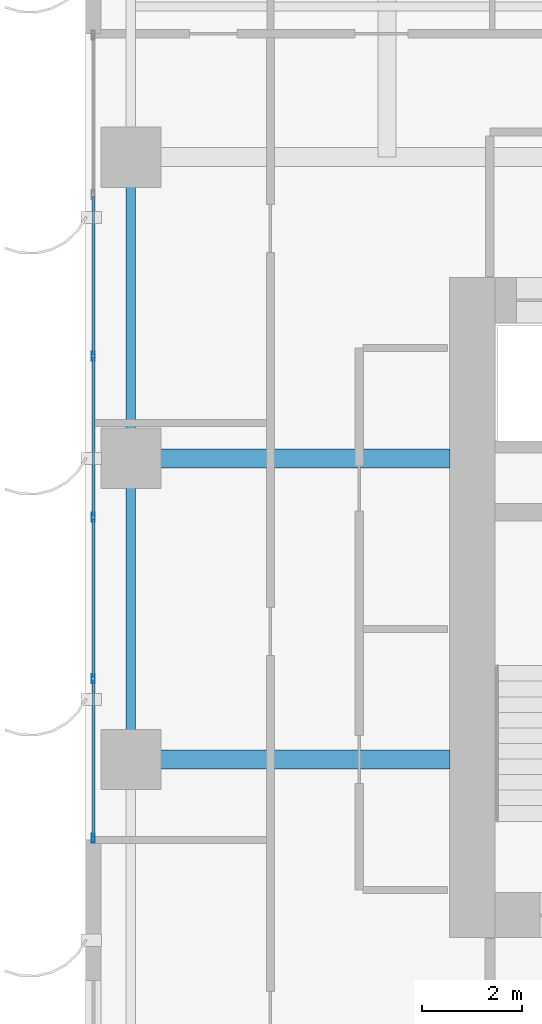
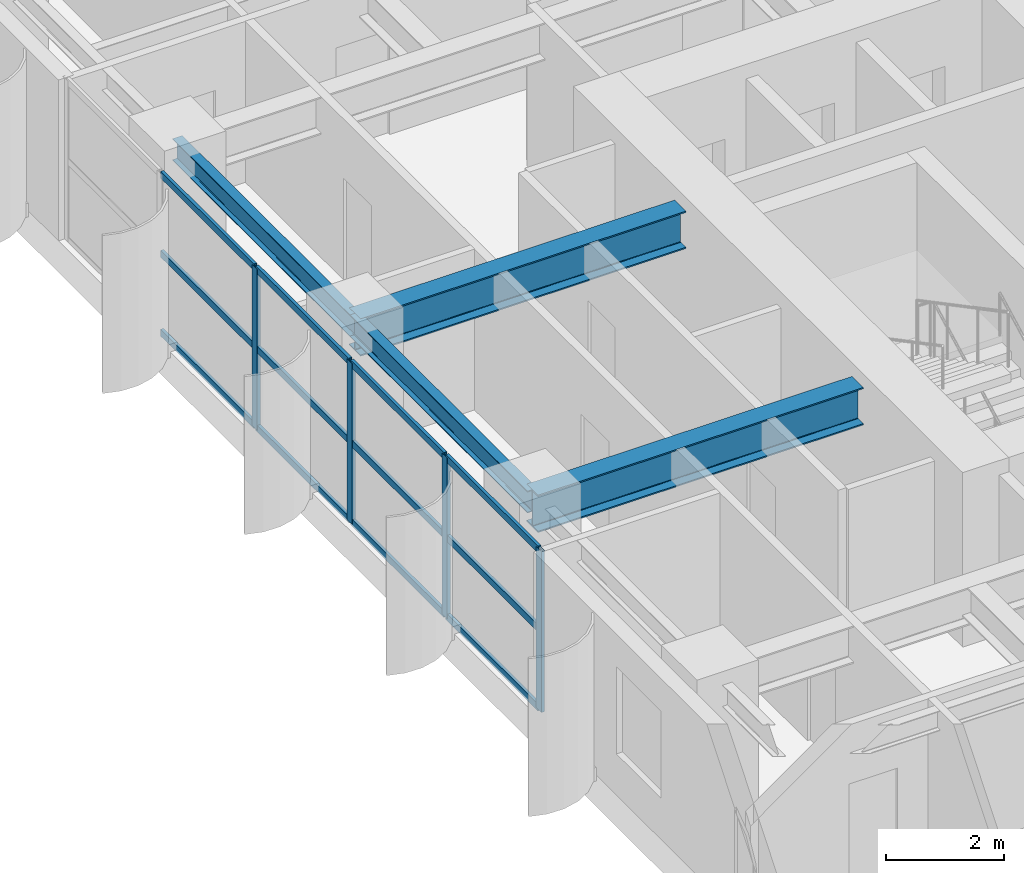
# One storey, part 2 of 21: 16 members, 4 beams, 1 element without a shape of its own.
"""IFC4 building model written with IfcOpenShell, lengths in metres."""

from ifc_helpers import new_model, si_unit, direction, frame, origin, origin_2d, place, context, subcontext, project, spatial, hollow_rectangle, i_section, extrude, source, transform, mapped, material, layer, layer_set, material_profile, profile_set, type_object, element, aggregate, save


model = new_model("IFC4")

# Units and contexts
model_context = context("Model", 3, precision=1e-05, world=origin(), true_north=direction((0.0, 1.0)))
body_context = subcontext(model_context, "Body", "Model", "MODEL_VIEW")
ifc_project = project(units=[si_unit("LENGTHUNIT", "METRE"), si_unit("AREAUNIT", "SQUARE_METRE"), si_unit("VOLUMEUNIT", "CUBIC_METRE"), si_unit("PLANEANGLEUNIT", "RADIAN"), si_unit("MASSUNIT", "GRAM", prefix="KILO")], contexts=[model_context])

# Site, building, storey
site_placement = place(None, origin())
site = spatial("IfcSite", under=ifc_project, at=site_placement, CompositionType="ELEMENT")
building_placement = place(site_placement, origin())
building = spatial("IfcBuilding", under=site, at=building_placement, Name="Khoralis Quay Care Tower", CompositionType="ELEMENT")
storey_placement = place(building_placement, frame((0.0, 0.0, 22.5)))
storey = spatial("IfcBuildingStorey", under=building, at=storey_placement, Name="L05", CompositionType="ELEMENT", Elevation=22.5)

# Beams
ifc_material_1 = material(Name="Steel S355", Category="steel")
ifc_material_profile_1 = material_profile(ifc_material_1, i_section(OverallWidth=0.18994140625, OverallDepth=0.449951171875, WebThickness=0.009521484375, FlangeThickness=0.0146484375, FilletRadius=0.02099609375, at=origin_2d()), Name="Steel S355")
ifc_profile_set_1 = profile_set([ifc_material_profile_1], Name="Steel S355")
beam_type_1 = type_object("IfcBeamType", Name="BM-IPE450", PredefinedType="SPANDREL", material=ifc_profile_set_1)
shared_shape_1 = source(origin(), body_context, "Body", "SweptSolid", [
    extrude(i_section(OverallWidth=0.18994140625, OverallDepth=0.449951171875, WebThickness=0.009521484375, FlangeThickness=0.0146484375, FilletRadius=0.02099609375, at=origin_2d()), origin(), (0.0, 0.0, 1.0), 6.0),
])
for number, where, z_axis, x_axis, name in (
    (1, (0.89990234375, 18.0, 3.094970703125), (0.0, 1.0, 0.0), (-1.0, 0.0, 0.0), "BM-TSP-L05-15"),
    (2, (0.89990234375, 24.0, 3.094970703125), (0.0, 1.0, 0.0), (-1.0, 0.0, 0.0), "BM-TSP-L05-16"),
):
    element("IfcBeam", number, at=place(storey_placement, frame(where, z_axis=z_axis, x_axis=x_axis)), inside=storey, type_object=beam_type_1, Name=name, PredefinedType="SPANDREL", context=body_context, shape_type="MappedRepresentation", body=[
        mapped(shared_shape_1, transform((0.0, 0.0, 0.0), scale=1.0)),
    ])
ifc_material_profile_2 = material_profile(ifc_material_1, i_section(OverallWidth=0.381103515625, OverallDepth=0.77294921875, WebThickness=0.0166015625, FlangeThickness=0.027587890625, FilletRadius=0.02197265625, at=origin_2d()), Name="Steel S355")
ifc_profile_set_2 = profile_set([ifc_material_profile_2], Name="Steel S355")
beam_type_2 = type_object("IfcBeamType", Name="BM-W760X257", PredefinedType="BEAM", material=ifc_profile_set_2)
shared_shape_2 = source(origin(), body_context, "Body", "SweptSolid", [
    extrude(i_section(OverallWidth=0.381103515625, OverallDepth=0.77294921875, WebThickness=0.0166015625, FlangeThickness=0.027587890625, FilletRadius=0.02197265625, at=origin_2d()), origin(), (0.0, 0.0, 1.0), 6.35205078125),
])
for number, where, z_axis, x_axis, name in (
    (3, (0.89990234375, 18.0, 2.93359375), (1.0, 0.0, 0.0), (0.0, 1.0, 0.0), "BM-TGXW-L05-180"),
    (4, (0.89990234375, 24.0, 2.93359375), (1.0, 0.0, 0.0), (0.0, 1.0, 0.0), "BM-TGXW-L05-240"),
):
    element("IfcBeam", number, at=place(storey_placement, frame(where, z_axis=z_axis, x_axis=x_axis)), inside=storey, type_object=beam_type_2, Name=name, PredefinedType="BEAM", context=body_context, shape_type="MappedRepresentation", body=[
        mapped(shared_shape_2, transform((0.0, 0.0, 0.0), scale=1.0)),
    ])

# Curtain wall, members
ifc_material_2 = material(Name="Pale anodised aluminium", Category="aluminium")
ifc_layer = layer(ifc_material_2, 0.179931640625)
ifc_layer_set = layer_set([ifc_layer], Name="Pale anodised aluminium")
curtain_wall_type = type_object("IfcCurtainWallType", Name="CW-SYS-Z1", PredefinedType="NOTDEFINED", material=ifc_layer_set)
curtain_wall_placement = place(storey_placement, origin())
curtain_wall = element("IfcCurtainWall", 5, at=curtain_wall_placement, inside=storey, type_object=curtain_wall_type, Name="L05 Unitised Curtain Wall CW-L05-P1-E15", PredefinedType="NOTDEFINED")
ifc_material_profile_3 = material_profile(ifc_material_2, hollow_rectangle(XDim=0.06494140625, YDim=0.179931640625, WallThickness=0.00390625, at=origin_2d()), Name="Pale anodised aluminium")
ifc_profile_set_3 = profile_set([ifc_material_profile_3], Name="Pale anodised aluminium")
member_type_1 = type_object("IfcMemberType", Name="CW-MUL-180", PredefinedType="MULLION", material=ifc_profile_set_3)
shared_shape_3 = source(origin(), body_context, "Body", "SweptSolid", [
    extrude(hollow_rectangle(XDim=0.06494140625, YDim=0.179931640625, WallThickness=0.00390625, at=origin_2d()), origin(), (0.0, 0.0, 1.0), 3.320068359375),
])
member_1_placement = place(storey_placement, frame((0.14990234375, 26.035888671875, 0.0), z_axis=(0.0, 0.0, 1.0), x_axis=(1.0, 0.0, 0.0)))
member_1 = element("IfcMember", 6, at=member_1_placement, type_object=member_type_1, Name="CW1 mullion 3", PredefinedType="MULLION", context=body_context, shape_type="MappedRepresentation", body=[
    mapped(shared_shape_3, transform((0.0, 0.0, 0.0), scale=1.0)),
])
member_2_placement = place(storey_placement, frame((0.14990234375, 22.823974609375, 0.0), z_axis=(0.0, 0.0, 1.0), x_axis=(1.0, 0.0, 0.0)))
member_2 = element("IfcMember", 7, at=member_2_placement, type_object=member_type_1, Name="CW1 mullion 4", PredefinedType="MULLION", context=body_context, shape_type="MappedRepresentation", body=[
    mapped(shared_shape_3, transform((0.0, 0.0, 0.0), scale=1.0)),
])
member_3_placement = place(storey_placement, frame((0.14990234375, 19.612060546875, 0.0), z_axis=(0.0, 0.0, 1.0), x_axis=(1.0, 0.0, 0.0)))
member_3 = element("IfcMember", 8, at=member_3_placement, type_object=member_type_1, Name="CW1 mullion 5", PredefinedType="MULLION", context=body_context, shape_type="MappedRepresentation", body=[
    mapped(shared_shape_3, transform((0.0, 0.0, 0.0), scale=1.0)),
])
member_4_placement = place(storey_placement, frame((0.14990234375, 16.429931640625, 0.0), z_axis=(0.0, 0.0, 1.0), x_axis=(1.0, 0.0, 0.0)))
member_4 = element("IfcMember", 9, at=member_4_placement, type_object=member_type_1, Name="CW1 mullion 6", PredefinedType="MULLION", context=body_context, shape_type="MappedRepresentation", body=[
    mapped(shared_shape_3, transform((0.0, 0.0, 0.0), scale=1.0)),
])
ifc_material_profile_4 = material_profile(ifc_material_2, hollow_rectangle(XDim=0.06005859375, YDim=0.139892578125, WallThickness=0.00390625, at=origin_2d()), Name="Pale anodised aluminium")
ifc_profile_set_4 = profile_set([ifc_material_profile_4], Name="Pale anodised aluminium")
member_type_2 = type_object("IfcMemberType", Name="CW-TRN-140", PredefinedType="USERDEFINED", material=ifc_profile_set_4)
shared_shape_4 = source(origin(), body_context, "Body", "SweptSolid", [
    extrude(hollow_rectangle(XDim=0.06005859375, YDim=0.139892578125, WallThickness=0.00390625, at=origin_2d()), origin(), (0.0, 0.0, 1.0), 3.1220703125),
])
member_5_placement = place(storey_placement, frame((0.14990234375, 19.58203125, 0.030029296875), z_axis=(0.0, -1.0, 0.0), x_axis=(1.0, 0.0, 0.0)))
member_5 = element("IfcMember", 10, at=member_5_placement, type_object=member_type_2, Name="CW1 transom 5.1", ObjectType="TRANSOM", PredefinedType="USERDEFINED", context=body_context, shape_type="MappedRepresentation", body=[
    mapped(shared_shape_4, transform((0.0, 0.0, 0.0), scale=1.0)),
])
member_6_placement = place(storey_placement, frame((0.14990234375, 19.58203125, 1.659912109375), z_axis=(0.0, -1.0, 0.0), x_axis=(1.0, 0.0, 0.0)))
member_6 = element("IfcMember", 11, at=member_6_placement, type_object=member_type_2, Name="CW1 transom 5.2", ObjectType="TRANSOM", PredefinedType="USERDEFINED", context=body_context, shape_type="MappedRepresentation", body=[
    mapped(shared_shape_4, transform((0.0, 0.0, 0.0), scale=1.0)),
])
member_7_placement = place(storey_placement, frame((0.14990234375, 19.58203125, 3.2900390625), z_axis=(0.0, -1.0, 0.0), x_axis=(1.0, 0.0, 0.0)))
member_7 = element("IfcMember", 12, at=member_7_placement, type_object=member_type_2, Name="CW1 transom 5.3", ObjectType="TRANSOM", PredefinedType="USERDEFINED", context=body_context, shape_type="MappedRepresentation", body=[
    mapped(shared_shape_4, transform((0.0, 0.0, 0.0), scale=1.0)),
])
shared_shape_5 = source(origin(), body_context, "Body", "SweptSolid", [
    extrude(hollow_rectangle(XDim=0.06005859375, YDim=0.139892578125, WallThickness=0.00390625, at=origin_2d()), origin(), (0.0, 0.0, 1.0), 3.15185546875),
])
member_8_placement = place(storey_placement, frame((0.14990234375, 22.7939453125, 0.030029296875), z_axis=(0.0, -1.0, 0.0), x_axis=(1.0, 0.0, 0.0)))
member_8 = element("IfcMember", 13, at=member_8_placement, type_object=member_type_2, Name="CW1 transom 4.1", ObjectType="TRANSOM", PredefinedType="USERDEFINED", context=body_context, shape_type="MappedRepresentation", body=[
    mapped(shared_shape_5, transform((0.0, 0.0, 0.0), scale=1.0)),
])
member_9_placement = place(storey_placement, frame((0.14990234375, 22.7939453125, 1.659912109375), z_axis=(0.0, -1.0, 0.0), x_axis=(1.0, 0.0, 0.0)))
member_9 = element("IfcMember", 14, at=member_9_placement, type_object=member_type_2, Name="CW1 transom 4.2", ObjectType="TRANSOM", PredefinedType="USERDEFINED", context=body_context, shape_type="MappedRepresentation", body=[
    mapped(shared_shape_5, transform((0.0, 0.0, 0.0), scale=1.0)),
])
member_10_placement = place(storey_placement, frame((0.14990234375, 22.7939453125, 3.2900390625), z_axis=(0.0, -1.0, 0.0), x_axis=(1.0, 0.0, 0.0)))
member_10 = element("IfcMember", 15, at=member_10_placement, type_object=member_type_2, Name="CW1 transom 4.3", ObjectType="TRANSOM", PredefinedType="USERDEFINED", context=body_context, shape_type="MappedRepresentation", body=[
    mapped(shared_shape_5, transform((0.0, 0.0, 0.0), scale=1.0)),
])
shared_shape_6 = source(origin(), body_context, "Body", "SweptSolid", [
    extrude(hollow_rectangle(XDim=0.06005859375, YDim=0.139892578125, WallThickness=0.00390625, at=origin_2d()), origin(), (0.0, 0.0, 1.0), 3.152099609375),
])
member_11_placement = place(storey_placement, frame((0.14990234375, 29.218017578125, 0.030029296875), z_axis=(0.0, -1.0, 0.0), x_axis=(1.0, 0.0, 0.0)))
member_11 = element("IfcMember", 16, at=member_11_placement, type_object=member_type_2, Name="CW1 transom 2.1", ObjectType="TRANSOM", PredefinedType="USERDEFINED", context=body_context, shape_type="MappedRepresentation", body=[
    mapped(shared_shape_6, transform((0.0, 0.0, 0.0), scale=1.0)),
])
member_12_placement = place(storey_placement, frame((0.14990234375, 29.218017578125, 1.659912109375), z_axis=(0.0, -1.0, 0.0), x_axis=(1.0, 0.0, 0.0)))
member_12 = element("IfcMember", 17, at=member_12_placement, type_object=member_type_2, Name="CW1 transom 2.2", ObjectType="TRANSOM", PredefinedType="USERDEFINED", context=body_context, shape_type="MappedRepresentation", body=[
    mapped(shared_shape_6, transform((0.0, 0.0, 0.0), scale=1.0)),
])
member_13_placement = place(storey_placement, frame((0.14990234375, 29.218017578125, 3.2900390625), z_axis=(0.0, -1.0, 0.0), x_axis=(1.0, 0.0, 0.0)))
member_13 = element("IfcMember", 18, at=member_13_placement, type_object=member_type_2, Name="CW1 transom 2.3", ObjectType="TRANSOM", PredefinedType="USERDEFINED", context=body_context, shape_type="MappedRepresentation", body=[
    mapped(shared_shape_6, transform((0.0, 0.0, 0.0), scale=1.0)),
])
member_14_placement = place(storey_placement, frame((0.14990234375, 26.006103515625, 0.030029296875), z_axis=(0.0, -1.0, 0.0), x_axis=(1.0, 0.0, 0.0)))
member_14 = element("IfcMember", 19, at=member_14_placement, type_object=member_type_2, Name="CW1 transom 3.1", ObjectType="TRANSOM", PredefinedType="USERDEFINED", context=body_context, shape_type="MappedRepresentation", body=[
    mapped(shared_shape_6, transform((0.0, 0.0, 0.0), scale=1.0)),
])
member_15_placement = place(storey_placement, frame((0.14990234375, 26.006103515625, 1.659912109375), z_axis=(0.0, -1.0, 0.0), x_axis=(1.0, 0.0, 0.0)))
member_15 = element("IfcMember", 20, at=member_15_placement, type_object=member_type_2, Name="CW1 transom 3.2", ObjectType="TRANSOM", PredefinedType="USERDEFINED", context=body_context, shape_type="MappedRepresentation", body=[
    mapped(shared_shape_6, transform((0.0, 0.0, 0.0), scale=1.0)),
])
member_16_placement = place(storey_placement, frame((0.14990234375, 26.006103515625, 3.2900390625), z_axis=(0.0, -1.0, 0.0), x_axis=(1.0, 0.0, 0.0)))
member_16 = element("IfcMember", 21, at=member_16_placement, type_object=member_type_2, Name="CW1 transom 3.3", ObjectType="TRANSOM", PredefinedType="USERDEFINED", context=body_context, shape_type="MappedRepresentation", body=[
    mapped(shared_shape_6, transform((0.0, 0.0, 0.0), scale=1.0)),
])
aggregate(curtain_wall, [member_1, member_2, member_3, member_4, member_11, member_12, member_13, member_14, member_15, member_16, member_8, member_9, member_10, member_5, member_6, member_7])

save(model, "model.ifc")
